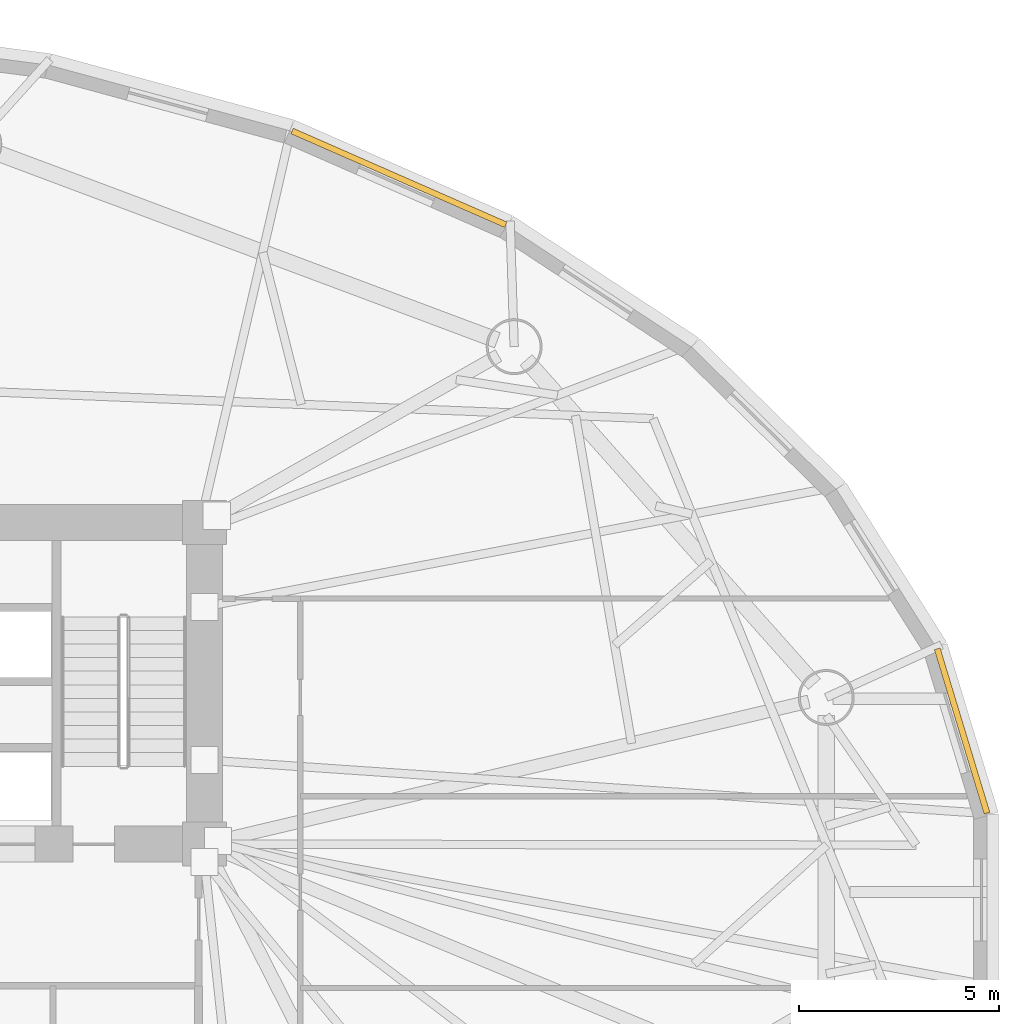
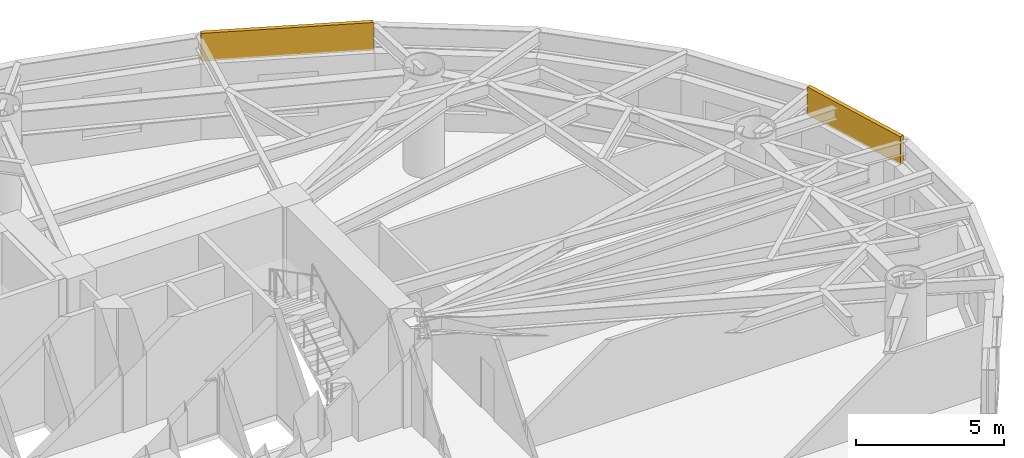
# One storey, part 14 of 14: 2 coverings.
"""IFC4 building model written with IfcOpenShell, lengths in metres."""

from ifc_helpers import new_model, si_unit, direction, frame, origin, origin_2d, place, context, subcontext, project, spatial, rectangle, extrude, material, layer, layer_set, type_object, element, save


model = new_model("IFC4")

# Units and contexts
model_context = context("Model", 3, precision=1e-05, world=origin(), true_north=direction((0.0, 1.0)))
body_context = subcontext(model_context, "Body", "Model", "MODEL_VIEW")
ifc_project = project(units=[si_unit("LENGTHUNIT", "METRE"), si_unit("AREAUNIT", "SQUARE_METRE"), si_unit("VOLUMEUNIT", "CUBIC_METRE"), si_unit("PLANEANGLEUNIT", "RADIAN"), si_unit("MASSUNIT", "GRAM", prefix="KILO")], contexts=[model_context])

# Site, building, storey
site_placement = place(None, origin())
site = spatial("IfcSite", under=ifc_project, at=site_placement, CompositionType="ELEMENT")
building_placement = place(site_placement, origin())
building = spatial("IfcBuilding", under=site, at=building_placement, Name="Keldmark Tower", CompositionType="ELEMENT")
storey_placement = place(building_placement, frame((0.0, 0.0, 18.60009765625)))
storey = spatial("IfcBuildingStorey", under=building, at=storey_placement, Name="L04", CompositionType="ELEMENT", Elevation=18.60009765625)

# Coverings
ifc_material = material(Name="Honed Kasota Buff Dolomitic Limestone", Category="masonry")
ifc_layer = layer(ifc_material, 0.074951171875)
ifc_layer_set = layer_set([ifc_layer], Name="Honed Kasota Buff Dolomitic Limestone")
covering_type = type_object("IfcCoveringType", Name="Kasota Buff Limestone Spandrel Cladding Band", PredefinedType="CLADDING", material=ifc_layer_set)
covering_1_placement = place(storey_placement, frame((32.57373046875, 4.233642578125, 3.032958984375), z_axis=(0.0, 0.0, 1.0), x_axis=(-0.289883809569, 0.957061845938, 0.0)))
element("IfcCovering", 1, at=covering_1_placement, inside=storey, type_object=covering_type, Name="L04 Kasota Limestone Spandrel Band 01", PredefinedType="CLADDING", context=body_context, shape_type="SweptSolid", body=[
    extrude(rectangle(XDim=4.2998046875, YDim=0.14990234375, at=origin_2d()), origin(), (0.0, 0.0, 1.0), 1.14697265625),
])
covering_2_placement = place(storey_placement, frame((18.4697265625, 18.085205078125, 3.032958984375), z_axis=(0.0, 0.0, 1.0), x_axis=(-0.915711693691, 0.401835904367, 0.0)))
element("IfcCovering", 2, at=covering_2_placement, inside=storey, type_object=covering_type, Name="L04 Kasota Limestone Spandrel Band 05", PredefinedType="CLADDING", context=body_context, shape_type="SweptSolid", body=[
    extrude(rectangle(XDim=5.843017578125, YDim=0.14990234375, at=origin_2d()), origin(), (0.0, 0.0, 1.0), 1.14697265625),
])

save(model, "model.ifc")
